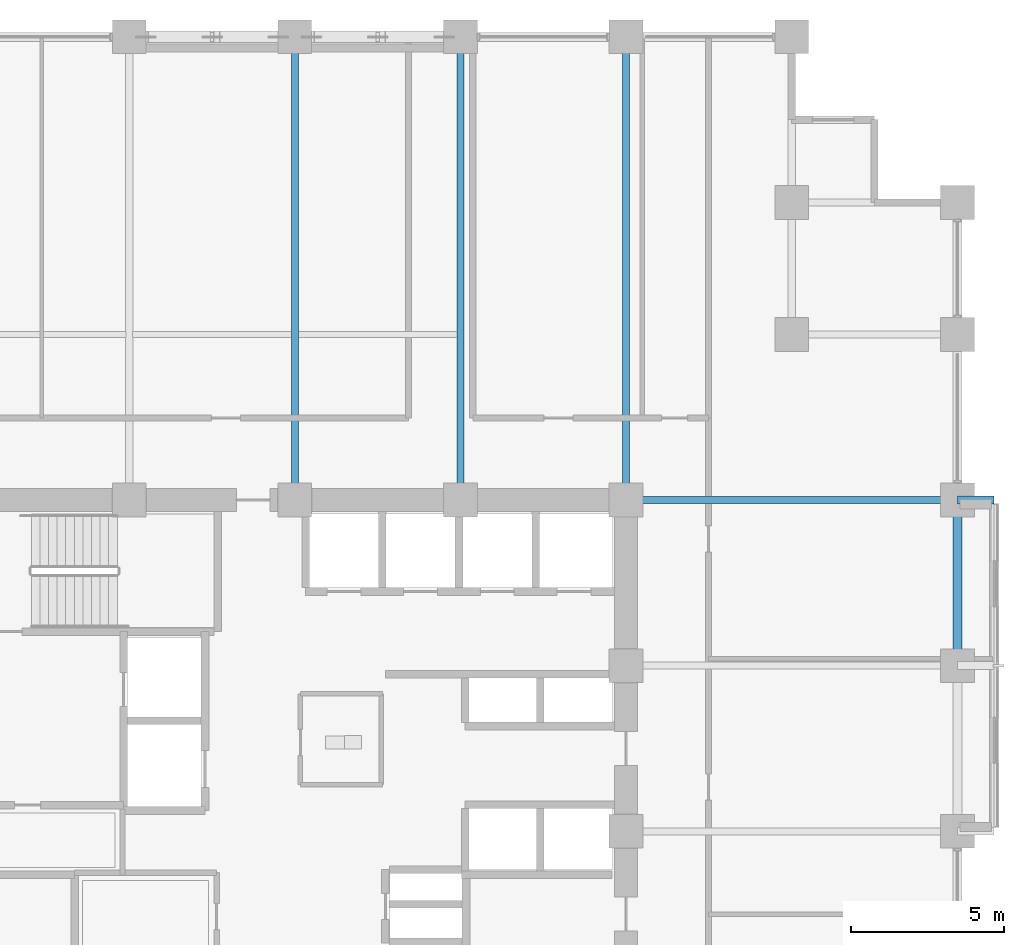
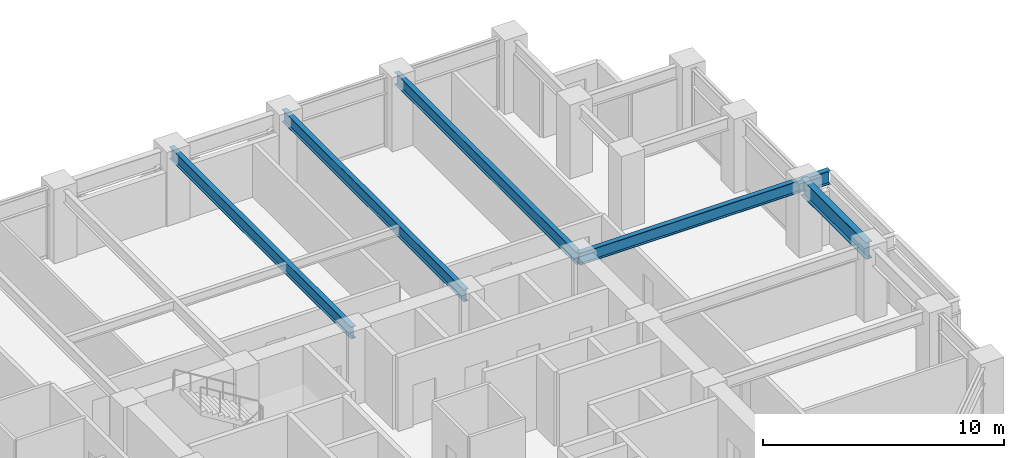
# One storey, part 15 of 25: 6 beams.
"""IFC4 building model written with IfcOpenShell, lengths in metres."""

from ifc_helpers import new_model, si_unit, direction, frame, origin, origin_2d, place, context, subcontext, project, spatial, i_section, extrude, material, material_profile, profile_set, type_object, element, save


model = new_model("IFC4")

# Units and contexts
model_context = context("Model", 3, precision=1e-05, world=origin(), true_north=direction((0.0, 1.0)))
body_context = subcontext(model_context, "Body", "Model", "MODEL_VIEW")
ifc_project = project(units=[si_unit("LENGTHUNIT", "METRE"), si_unit("AREAUNIT", "SQUARE_METRE"), si_unit("VOLUMEUNIT", "CUBIC_METRE"), si_unit("PLANEANGLEUNIT", "RADIAN"), si_unit("MASSUNIT", "GRAM", prefix="KILO")], contexts=[model_context])

# Site, building, storey
site_placement = place(None, origin())
site = spatial("IfcSite", under=ifc_project, at=site_placement, CompositionType="ELEMENT")
building_placement = place(site_placement, origin())
building = spatial("IfcBuilding", under=site, at=building_placement, Name="Surkhivell Harbour Commons", CompositionType="ELEMENT")
storey_placement = place(building_placement, frame((0.0, 0.0, 98.25)))
storey = spatial("IfcBuildingStorey", under=building, at=storey_placement, Name="L25", CompositionType="ELEMENT", Elevation=98.25)

# Beams
ifc_material_1 = material(Name="Steel S460", Category="steel")
ifc_material_profile_1 = material_profile(ifc_material_1, i_section(OverallWidth=0.256103515625, OverallDepth=0.693115234375, WebThickness=0.014404296875, FlangeThickness=0.023681640625, at=origin_2d()), Name="UB686x254x170")
ifc_profile_set_1 = profile_set([ifc_material_profile_1], Name="Steel S460")
beam_type_1 = type_object("IfcBeamType", Name="BM-CNT-686", PredefinedType="BEAM", material=ifc_profile_set_1)
beam_1_placement = place(storey_placement, frame((21.60009765625, 10.800048828125, 3.223388671875), z_axis=(1.0, 0.0, 0.0), x_axis=(0.0, 1.0, 0.0)))
element("IfcBeam", 1, at=beam_1_placement, inside=storey, type_object=beam_type_1, Name="L25 Box Cantilever Outrigger (21.6,10.8)", PredefinedType="BEAM", context=body_context, shape_type="SweptSolid", body=[
    extrude(i_section(OverallWidth=0.256103515625, OverallDepth=0.693115234375, WebThickness=0.014404296875, FlangeThickness=0.023681640625, at=origin_2d()), origin(), (0.0, 0.0, 1.0), 1.199951171875),
])
ifc_material_2 = material(Name="Steel S355", Category="steel")
ifc_material_profile_2 = material_profile(ifc_material_2, i_section(OverallWidth=0.22998046875, OverallDepth=0.616943359375, WebThickness=0.01318359375, FlangeThickness=0.022216796875, at=origin_2d()), Name="UB610x229x140")
ifc_profile_set_2 = profile_set([ifc_material_profile_2], Name="Steel S355")
beam_type_2 = type_object("IfcBeamType", Name="BM-GRD-610B", PredefinedType="BEAM", material=ifc_profile_set_2)
for number, where, z_axis, x_axis, name in (
    (2, (0.0, 10.800048828125, 3.261474609375), (0.0, 1.0, 0.0), (-1.0, 0.0, 0.0), "L25 Floor Girder (0.0,10.8)"),
    (3, (5.39990234375, 10.800048828125, 3.261474609375), (0.0, 1.0, 0.0), (-1.0, 0.0, 0.0), "L25 Floor Girder (5.4,10.8)"),
    (4, (10.800048828125, 10.800048828125, 3.261474609375), (0.0, 1.0, 0.0), (-1.0, 0.0, 0.0), "L25 Floor Girder (10.8,10.8)"),
):
    element("IfcBeam", number, at=place(storey_placement, frame(where, z_axis=z_axis, x_axis=x_axis)), inside=storey, type_object=beam_type_2, Name=name, PredefinedType="BEAM", context=body_context, shape_type="SweptSolid", body=[
        extrude(i_section(OverallWidth=0.22998046875, OverallDepth=0.616943359375, WebThickness=0.01318359375, FlangeThickness=0.022216796875, at=origin_2d()), origin(), (0.0, 0.0, 1.0), 15.099853515625),
    ])
beam_2_placement = place(storey_placement, frame((10.800048828125, 10.800048828125, 3.261474609375), z_axis=(1.0, 0.0, 0.0), x_axis=(0.0, 1.0, 0.0)))
element("IfcBeam", 5, at=beam_2_placement, inside=storey, type_object=beam_type_2, Name="L25 Floor Girder (10.8,10.8)", PredefinedType="BEAM", context=body_context, shape_type="SweptSolid", body=[
    extrude(i_section(OverallWidth=0.22998046875, OverallDepth=0.616943359375, WebThickness=0.01318359375, FlangeThickness=0.022216796875, at=origin_2d()), origin(), (0.0, 0.0, 1.0), 10.800048828125),
])
ifc_material_profile_3 = material_profile(ifc_material_1, i_section(OverallWidth=0.2939453125, OverallDepth=0.85107421875, WebThickness=0.01611328125, FlangeThickness=0.02685546875, at=origin_2d()), Name="UB838x292x226")
ifc_profile_set_3 = profile_set([ifc_material_profile_3], Name="Steel S460")
beam_type_3 = type_object("IfcBeamType", Name="BM-SPN-838", PredefinedType="SPANDREL", material=ifc_profile_set_3)
beam_3_placement = place(storey_placement, frame((21.60009765625, 5.39990234375, 3.14453125), z_axis=(0.0, 1.0, 0.0), x_axis=(-1.0, 0.0, 0.0)))
element("IfcBeam", 6, at=beam_3_placement, inside=storey, type_object=beam_type_3, Name="L25 Tube Spandrel (21.6,5.4)", PredefinedType="SPANDREL", context=body_context, shape_type="SweptSolid", body=[
    extrude(i_section(OverallWidth=0.2939453125, OverallDepth=0.85107421875, WebThickness=0.01611328125, FlangeThickness=0.02685546875, at=origin_2d()), origin(), (0.0, 0.0, 1.0), 5.400146484375),
])

save(model, "model.ifc")
